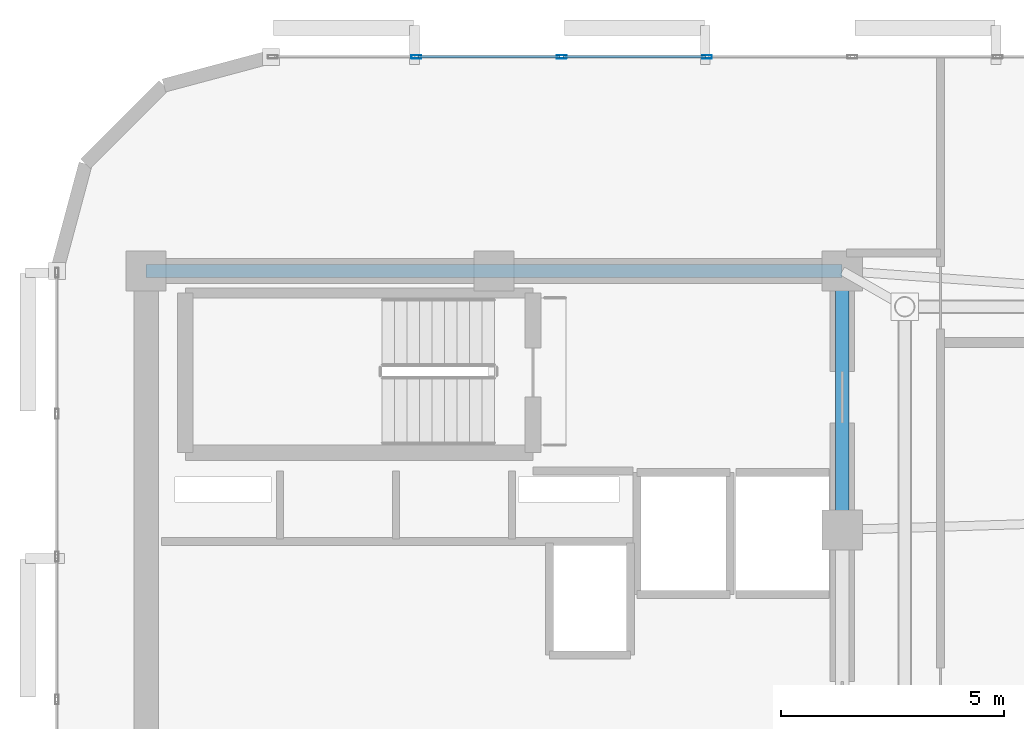
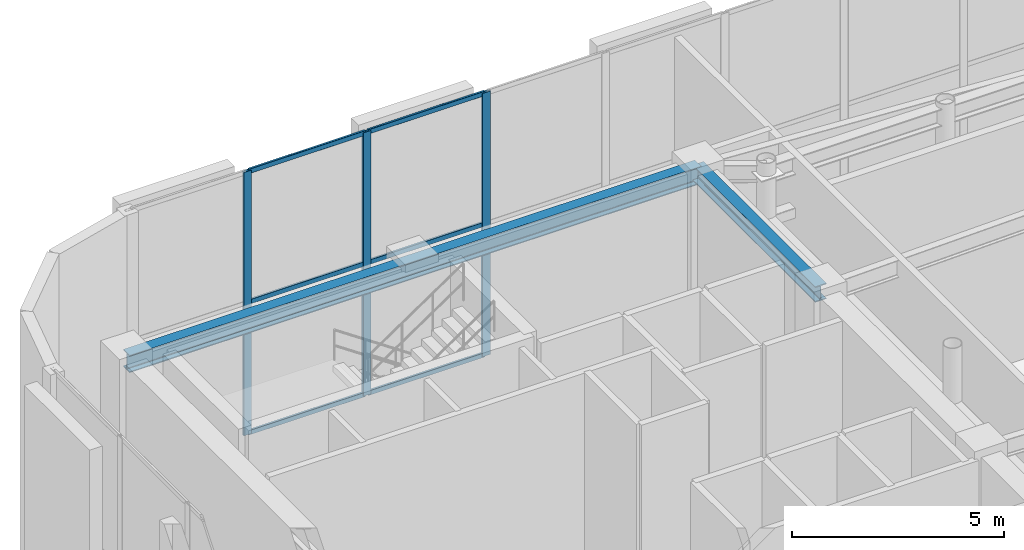
# One storey, part 8 of 22: 9 members, 2 beams, 1 element without a shape of its own.
"""IFC4 building model written with IfcOpenShell, lengths in metres."""

from ifc_helpers import new_model, si_unit, direction, frame, origin, origin_2d, place, context, subcontext, project, spatial, hollow_rectangle, i_section, extrude, material, layer, layer_set, material_profile, profile_set, type_object, element, aggregate, save


model = new_model("IFC4")

# Units and contexts
model_context = context("Model", 3, precision=1e-05, world=origin(), true_north=direction((0.0, 1.0)))
body_context = subcontext(model_context, "Body", "Model", "MODEL_VIEW")
ifc_project = project(units=[si_unit("LENGTHUNIT", "METRE"), si_unit("AREAUNIT", "SQUARE_METRE"), si_unit("VOLUMEUNIT", "CUBIC_METRE"), si_unit("PLANEANGLEUNIT", "RADIAN"), si_unit("MASSUNIT", "GRAM", prefix="KILO")], contexts=[model_context])

# Site, building, storey
site_placement = place(None, origin())
site = spatial("IfcSite", under=ifc_project, at=site_placement, CompositionType="ELEMENT")
building_placement = place(site_placement, origin())
building = spatial("IfcBuilding", under=site, at=building_placement, Name="An Khanh Terracotta Commons", CompositionType="ELEMENT")
storey_placement = place(building_placement, frame((0.0, 0.0, 300.39990234375)))
storey = spatial("IfcBuildingStorey", under=building, at=storey_placement, Name="L78 Crown Damper Chamber", CompositionType="ELEMENT", Elevation=300.39990234375)

# Beams
ifc_material_1 = material(Name="Steel S355J2", Category="steel")
ifc_material_profile_1 = material_profile(ifc_material_1, i_section(OverallWidth=0.300048828125, OverallDepth=0.449951171875, WebThickness=0.013916015625, FlangeThickness=0.02587890625, FilletRadius=0.027099609375, at=origin_2d()), Name="HEB450")
ifc_profile_set_1 = profile_set([ifc_material_profile_1], Name="Steel S355J2")
beam_type_1 = type_object("IfcBeamType", Name="BM-HEB450", PredefinedType="BEAM", material=ifc_profile_set_1)
beam_1_placement = place(storey_placement, frame((37.199951171875, 27.800048828125, 7.155029296875), z_axis=(0.0, 1.0, 0.0), x_axis=(-1.0, 0.0, 0.0)))
element("IfcBeam", 1, at=beam_1_placement, inside=storey, type_object=beam_type_1, Name="L78 Crown Damper Chamber Core East Coupling Girder 3", PredefinedType="BEAM", context=body_context, shape_type="SweptSolid", body=[
    extrude(i_section(OverallWidth=0.300048828125, OverallDepth=0.449951171875, WebThickness=0.013916015625, FlangeThickness=0.02587890625, FilletRadius=0.027099609375, at=origin_2d()), origin(), (0.0, 0.0, 1.0), 5.800048828125),
])
ifc_material_profile_2 = material_profile(ifc_material_1, i_section(OverallWidth=0.300048828125, OverallDepth=0.5, WebThickness=0.014404296875, FlangeThickness=0.028076171875, FilletRadius=0.027099609375, at=origin_2d()), Name="HEB500")
ifc_profile_set_2 = profile_set([ifc_material_profile_2], Name="Steel S355J2")
beam_type_2 = type_object("IfcBeamType", Name="BM-HEB500", PredefinedType="BEAM", material=ifc_profile_set_2)
beam_2_placement = place(storey_placement, frame((21.60009765625, 33.60009765625, 7.130126953125), z_axis=(1.0, 0.0, 0.0), x_axis=(0.0, 1.0, 0.0)))
element("IfcBeam", 2, at=beam_2_placement, inside=storey, type_object=beam_type_2, Name="L78 Crown Damper Chamber Core North Coupling Girder", PredefinedType="BEAM", context=body_context, shape_type="SweptSolid", body=[
    extrude(i_section(OverallWidth=0.300048828125, OverallDepth=0.5, WebThickness=0.014404296875, FlangeThickness=0.028076171875, FilletRadius=0.027099609375, at=origin_2d()), origin(), (0.0, 0.0, 1.0), 15.599853515625),
])

# Curtain wall, members
ifc_material_2 = material(Name="Anodised Aluminium 6063-T6", Category="aluminium")
ifc_layer = layer(ifc_material_2, 0.25, Name="Anodised Aluminium 6063-T6")
ifc_layer_set = layer_set([ifc_layer], Name="Anodised Aluminium 6063-T6")
curtain_wall_type = type_object("IfcCurtainWallType", Name="CW-SYS-05", PredefinedType="USERDEFINED", material=ifc_layer_set)
curtain_wall_placement = place(storey_placement, origin())
curtain_wall = element("IfcCurtainWall", 3, at=curtain_wall_placement, inside=storey, type_object=curtain_wall_type, Name="L78 Crown Damper Chamber CW-05 Unitised Curtain Wall CW-L78-20", ObjectType="UNITISED CURTAIN WALL", PredefinedType="USERDEFINED")
ifc_material_profile_3 = material_profile(ifc_material_2, hollow_rectangle(XDim=0.080078125, YDim=0.219970703125, WallThickness=0.0048828125, InnerFilletRadius=0.0048828125, OuterFilletRadius=0.010009765625, at=origin_2d()), Name="RHS220x80x5")
ifc_profile_set_3 = profile_set([ifc_material_profile_3], Name="Anodised Aluminium 6063-T6")
member_type_1 = type_object("IfcMemberType", Name="CWM-RHS220x80x5", PredefinedType="MULLION", material=ifc_profile_set_3)
member_1_placement = place(storey_placement, frame((34.17041015625, 38.39990234375, 0.0), z_axis=(0.0, 0.0, 1.0), x_axis=(0.0, -1.0, 0.0)))
member_1 = element("IfcMember", 4, at=member_1_placement, type_object=member_type_1, Name="CW-05 mullion 9", PredefinedType="MULLION", context=body_context, shape_type="SweptSolid", body=[
    extrude(hollow_rectangle(XDim=0.080078125, YDim=0.219970703125, WallThickness=0.0048828125, InnerFilletRadius=0.0048828125, OuterFilletRadius=0.010009765625, at=origin_2d()), origin(), (0.0, 0.0, 1.0), 7.60009765625),
])
member_2_placement = place(storey_placement, frame((30.91357421875, 38.39990234375, 0.0), z_axis=(0.0, 0.0, 1.0), x_axis=(0.0, -1.0, 0.0)))
member_2 = element("IfcMember", 5, at=member_2_placement, type_object=member_type_1, Name="CW-05 mullion 10", PredefinedType="MULLION", context=body_context, shape_type="SweptSolid", body=[
    extrude(hollow_rectangle(XDim=0.080078125, YDim=0.219970703125, WallThickness=0.0048828125, InnerFilletRadius=0.0048828125, OuterFilletRadius=0.010009765625, at=origin_2d()), origin(), (0.0, 0.0, 1.0), 7.60009765625),
])
member_3_placement = place(storey_placement, frame((27.65673828125, 38.39990234375, 0.0), z_axis=(0.0, 0.0, 1.0), x_axis=(0.0, -1.0, 0.0)))
member_3 = element("IfcMember", 6, at=member_3_placement, type_object=member_type_1, Name="CW-05 mullion 11", PredefinedType="MULLION", context=body_context, shape_type="SweptSolid", body=[
    extrude(hollow_rectangle(XDim=0.080078125, YDim=0.219970703125, WallThickness=0.0048828125, InnerFilletRadius=0.0048828125, OuterFilletRadius=0.010009765625, at=origin_2d()), origin(), (0.0, 0.0, 1.0), 7.60009765625),
])
ifc_material_profile_4 = material_profile(ifc_material_2, hollow_rectangle(XDim=0.06005859375, YDim=0.135009765625, WallThickness=0.003662109375, InnerFilletRadius=0.003662109375, OuterFilletRadius=0.007080078125, at=origin_2d()), Name="RHS135x60x3.6")
ifc_profile_set_4 = profile_set([ifc_material_profile_4], Name="Anodised Aluminium 6063-T6")
member_type_2 = type_object("IfcMemberType", Name="CWT-RHS135x60x3.6", PredefinedType="USERDEFINED", material=ifc_profile_set_4)
member_4_placement = place(storey_placement, frame((34.13037109375, 38.39990234375, 0.030029296875), z_axis=(-1.0, 0.0, 0.0), x_axis=(0.0, -1.0, 0.0)))
member_4 = element("IfcMember", 7, at=member_4_placement, type_object=member_type_2, Name="CW-05 transom 9.1", ObjectType="TRANSOM", PredefinedType="USERDEFINED", context=body_context, shape_type="SweptSolid", body=[
    extrude(hollow_rectangle(XDim=0.06005859375, YDim=0.135009765625, WallThickness=0.003662109375, InnerFilletRadius=0.003662109375, OuterFilletRadius=0.007080078125, at=origin_2d()), origin(), (0.0, 0.0, 1.0), 3.1767578125),
])
member_5_placement = place(storey_placement, frame((34.13037109375, 38.39990234375, 3.800048828125), z_axis=(-1.0, 0.0, 0.0), x_axis=(0.0, -1.0, 0.0)))
member_5 = element("IfcMember", 8, at=member_5_placement, type_object=member_type_2, Name="CW-05 transom 9.2", ObjectType="TRANSOM", PredefinedType="USERDEFINED", context=body_context, shape_type="SweptSolid", body=[
    extrude(hollow_rectangle(XDim=0.06005859375, YDim=0.135009765625, WallThickness=0.003662109375, InnerFilletRadius=0.003662109375, OuterFilletRadius=0.007080078125, at=origin_2d()), origin(), (0.0, 0.0, 1.0), 3.1767578125),
])
member_6_placement = place(storey_placement, frame((34.13037109375, 38.39990234375, 7.570068359375), z_axis=(-1.0, 0.0, 0.0), x_axis=(0.0, -1.0, 0.0)))
member_6 = element("IfcMember", 9, at=member_6_placement, type_object=member_type_2, Name="CW-05 transom 9.3", ObjectType="TRANSOM", PredefinedType="USERDEFINED", context=body_context, shape_type="SweptSolid", body=[
    extrude(hollow_rectangle(XDim=0.06005859375, YDim=0.135009765625, WallThickness=0.003662109375, InnerFilletRadius=0.003662109375, OuterFilletRadius=0.007080078125, at=origin_2d()), origin(), (0.0, 0.0, 1.0), 3.1767578125),
])
member_7_placement = place(storey_placement, frame((30.87353515625, 38.39990234375, 0.030029296875), z_axis=(-1.0, 0.0, 0.0), x_axis=(0.0, -1.0, 0.0)))
member_7 = element("IfcMember", 10, at=member_7_placement, type_object=member_type_2, Name="CW-05 transom 10.1", ObjectType="TRANSOM", PredefinedType="USERDEFINED", context=body_context, shape_type="SweptSolid", body=[
    extrude(hollow_rectangle(XDim=0.06005859375, YDim=0.135009765625, WallThickness=0.003662109375, InnerFilletRadius=0.003662109375, OuterFilletRadius=0.007080078125, at=origin_2d()), origin(), (0.0, 0.0, 1.0), 3.1767578125),
])
member_8_placement = place(storey_placement, frame((30.87353515625, 38.39990234375, 3.800048828125), z_axis=(-1.0, 0.0, 0.0), x_axis=(0.0, -1.0, 0.0)))
member_8 = element("IfcMember", 11, at=member_8_placement, type_object=member_type_2, Name="CW-05 transom 10.2", ObjectType="TRANSOM", PredefinedType="USERDEFINED", context=body_context, shape_type="SweptSolid", body=[
    extrude(hollow_rectangle(XDim=0.06005859375, YDim=0.135009765625, WallThickness=0.003662109375, InnerFilletRadius=0.003662109375, OuterFilletRadius=0.007080078125, at=origin_2d()), origin(), (0.0, 0.0, 1.0), 3.1767578125),
])
member_9_placement = place(storey_placement, frame((30.87353515625, 38.39990234375, 7.570068359375), z_axis=(-1.0, 0.0, 0.0), x_axis=(0.0, -1.0, 0.0)))
member_9 = element("IfcMember", 12, at=member_9_placement, type_object=member_type_2, Name="CW-05 transom 10.3", ObjectType="TRANSOM", PredefinedType="USERDEFINED", context=body_context, shape_type="SweptSolid", body=[
    extrude(hollow_rectangle(XDim=0.06005859375, YDim=0.135009765625, WallThickness=0.003662109375, InnerFilletRadius=0.003662109375, OuterFilletRadius=0.007080078125, at=origin_2d()), origin(), (0.0, 0.0, 1.0), 3.1767578125),
])
aggregate(curtain_wall, [member_1, member_2, member_3, member_4, member_5, member_6, member_7, member_8, member_9])

save(model, "model.ifc")
